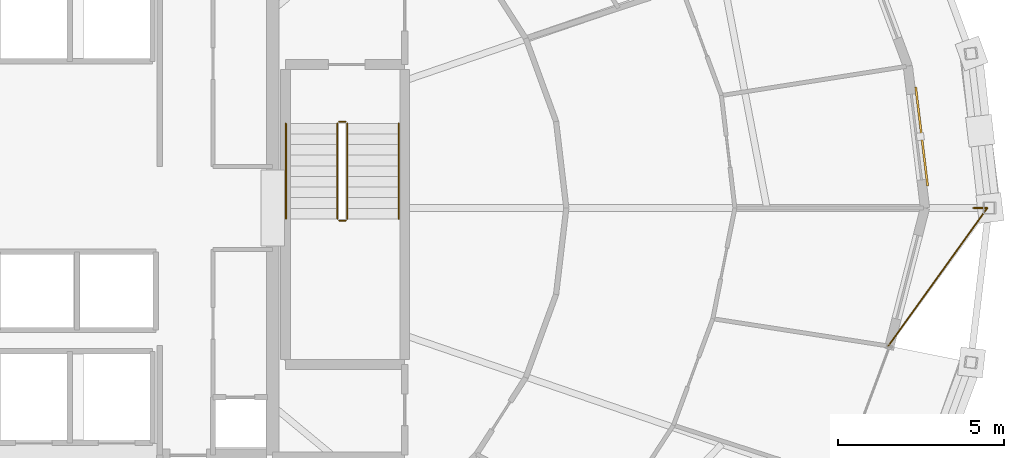
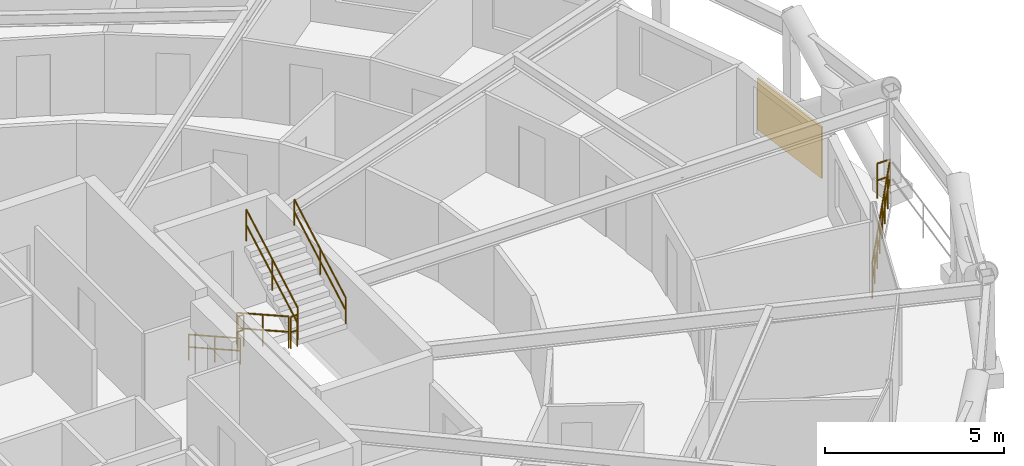
# One storey, part 23 of 23: 7 railings, 1 shading device.
"""IFC4 building model written with IfcOpenShell, lengths in metres."""

from ifc_helpers import new_model, si_unit, direction, frame, origin, origin_2d, place, context, subcontext, project, spatial, rectangle, circle, extrude, material, layer, layer_set, type_object, element, save


model = new_model("IFC4")

# Units and contexts
model_context = context("Model", 3, precision=1e-05, world=origin(), true_north=direction((0.0, 1.0)))
body_context = subcontext(model_context, "Body", "Model", "MODEL_VIEW")
ifc_project = project(units=[si_unit("LENGTHUNIT", "METRE"), si_unit("AREAUNIT", "SQUARE_METRE"), si_unit("VOLUMEUNIT", "CUBIC_METRE"), si_unit("PLANEANGLEUNIT", "RADIAN"), si_unit("MASSUNIT", "GRAM", prefix="KILO")], contexts=[model_context])

# Site, building, storey
site_placement = place(None, origin())
site = spatial("IfcSite", under=ifc_project, at=site_placement, CompositionType="ELEMENT")
building_placement = place(site_placement, origin())
building = spatial("IfcBuilding", under=site, at=building_placement, Name="Veldorina Hangang Commons", CompositionType="ELEMENT")
storey_placement = place(building_placement, frame((0.0, 0.0, 102.39990234375)))
storey = spatial("IfcBuildingStorey", under=building, at=storey_placement, Name="L26", CompositionType="ELEMENT", Elevation=102.39990234375)

# Railings
ifc_material_1 = material(Name="Glass Laminated Safety Balustrade", Category="glass")
railing_type_1 = type_object("IfcRailingType", Name="RL-BAL-LOGGIA", PredefinedType="BALUSTRADE", material=ifc_material_1)
railing_1_placement = place(storey_placement, frame((60.319580078125, 24.0, 0.0)))
element("IfcRailing", 1, at=railing_1_placement, inside=storey, type_object=railing_type_1, Name="L26 sky-garden loggia end balustrade B", PredefinedType="BALUSTRADE", context=body_context, shape_type="SweptSolid", body=[
    extrude(circle(Radius=0.02392578125, at=origin_2d()), frame((0.0, 0.0, 1.17578125), z_axis=(1.0, 0.0, 0.0), x_axis=(0.0, 1.0, 0.0)), (0.0, 0.0, 1.0), 0.419921875),
    extrude(circle(Radius=0.02392578125, at=origin_2d()), frame((0.0, 0.0, 0.60009765625), z_axis=(1.0, 0.0, 0.0), x_axis=(0.0, 1.0, 0.0)), (0.0, 0.0, 1.0), 0.419921875),
    extrude(circle(Radius=0.02392578125, at=origin_2d()), frame((0.419921875, 0.0, 1.17578125), z_axis=(-0.582996167057, -0.812474903734, 0.0), x_axis=(0.812474903734, -0.582996167057, 0.0)), (0.0, 0.0, 1.0), 5.119384765625),
    extrude(circle(Radius=0.02392578125, at=origin_2d()), frame((0.419921875, 0.0, 0.60009765625), z_axis=(-0.582996167057, -0.812474903734, 0.0), x_axis=(0.812474903734, -0.582996167057, 0.0)), (0.0, 0.0, 1.0), 5.119384765625),
    extrude(circle(Radius=0.02099609375, at=origin_2d()), origin(), (0.0, 0.0, 1.0), 1.15185546875),
    extrude(circle(Radius=0.02099609375, at=origin_2d()), frame((0.419921875, 0.0, 0.0)), (0.0, 0.0, 1.0), 1.15185546875),
    extrude(circle(Radius=0.02099609375, at=origin_2d()), frame((-0.00634765625, -0.59423828125, 0.0)), (0.0, 0.0, 1.0), 1.15185546875),
    extrude(circle(Radius=0.02099609375, at=origin_2d()), frame((-0.432861328125, -1.1884765625, 0.0)), (0.0, 0.0, 1.0), 1.15185546875),
    extrude(circle(Radius=0.02099609375, at=origin_2d()), frame((-0.859130859375, -1.78271484375, 0.0)), (0.0, 0.0, 1.0), 1.15185546875),
    extrude(circle(Radius=0.02099609375, at=origin_2d()), frame((-1.28564453125, -2.376708984375, 0.0)), (0.0, 0.0, 1.0), 1.15185546875),
    extrude(circle(Radius=0.02099609375, at=origin_2d()), frame((-1.7119140625, -2.970947265625, 0.0)), (0.0, 0.0, 1.0), 1.15185546875),
    extrude(circle(Radius=0.02099609375, at=origin_2d()), frame((-2.138427734375, -3.565185546875, 0.0)), (0.0, 0.0, 1.0), 1.15185546875),
    extrude(circle(Radius=0.02099609375, at=origin_2d()), frame((-2.564697265625, -4.159423828125, 0.0)), (0.0, 0.0, 1.0), 1.15185546875),
])
ifc_material_2 = material(Name="Steel Painted Balustrade", Category="steel")
railing_type_2 = type_object("IfcRailingType", Name="RL-GRD-STAIR", PredefinedType="GUARDRAIL", material=ifc_material_2)
railing_2_placement = place(storey_placement, frame((41.14990234375, 26.550048828125, 0.18017578125)))
element("IfcRailing", 2, at=railing_2_placement, inside=storey, type_object=railing_type_2, Name="L26 ST-2 stair guard 1", PredefinedType="GUARDRAIL", context=body_context, shape_type="SweptSolid", body=[
    extrude(circle(Radius=0.02392578125, at=origin_2d()), frame((0.0, 0.0, 1.076171875), z_axis=(0.0, -0.871601186807, 0.490215637405), x_axis=(1.0, 0.0, 0.0)), (0.0, 0.0, 1.0), 3.304443359375),
    extrude(circle(Radius=0.02392578125, at=origin_2d()), frame((0.0, 0.0, 0.550048828125), z_axis=(0.0, -0.871601186807, 0.490215637405), x_axis=(1.0, 0.0, 0.0)), (0.0, 0.0, 1.0), 3.304443359375),
    extrude(circle(Radius=0.02099609375, at=origin_2d()), origin(), (0.0, 0.0, 1.0), 1.052001953125),
    extrude(circle(Radius=0.02099609375, at=origin_2d()), frame((0.0, -1.43994140625, 0.81005859375)), (0.0, 0.0, 1.0), 1.052001953125),
    extrude(circle(Radius=0.02099609375, at=origin_2d()), frame((0.0, -2.880126953125, 1.619873046875)), (0.0, 0.0, 1.0), 1.052001953125),
])
railing_3_placement = place(storey_placement, frame((41.199951171875, 23.6201171875, 1.800048828125)))
element("IfcRailing", 3, at=railing_3_placement, inside=storey, type_object=railing_type_2, Name="L26 ST-2 stair guard 2", PredefinedType="GUARDRAIL", context=body_context, shape_type="SweptSolid", body=[
    extrude(circle(Radius=0.02392578125, at=origin_2d()), frame((0.0, 0.0, 1.076171875), z_axis=(1.0, 0.0, 0.0), x_axis=(0.0, 1.0, 0.0)), (0.0, 0.0, 1.0), 0.199951171875),
    extrude(circle(Radius=0.02392578125, at=origin_2d()), frame((0.0, 0.0, 0.550048828125), z_axis=(1.0, 0.0, 0.0), x_axis=(0.0, 1.0, 0.0)), (0.0, 0.0, 1.0), 0.199951171875),
    extrude(circle(Radius=0.02099609375, at=origin_2d()), origin(), (0.0, 0.0, 1.0), 1.052001953125),
    extrude(circle(Radius=0.02099609375, at=origin_2d()), frame((0.199951171875, 0.0, 0.0)), (0.0, 0.0, 1.0), 1.052001953125),
])
railing_4_placement = place(storey_placement, frame((41.449951171875, 23.669921875, 1.97998046875)))
element("IfcRailing", 4, at=railing_4_placement, inside=storey, type_object=railing_type_2, Name="L26 ST-2 stair guard 3", PredefinedType="GUARDRAIL", context=body_context, shape_type="SweptSolid", body=[
    extrude(circle(Radius=0.02392578125, at=origin_2d()), frame((0.0, 0.0, 1.076171875), z_axis=(0.0, 0.871569617843, 0.490271762652), x_axis=(-1.0, 0.0, 0.0)), (0.0, 0.0, 1.0), 3.304443359375),
    extrude(circle(Radius=0.02392578125, at=origin_2d()), frame((0.0, 0.0, 0.550048828125), z_axis=(0.0, 0.871569617843, 0.490271762652), x_axis=(-1.0, 0.0, 0.0)), (0.0, 0.0, 1.0), 3.304443359375),
    extrude(circle(Radius=0.02099609375, at=origin_2d()), origin(), (0.0, 0.0, 1.0), 1.052001953125),
    extrude(circle(Radius=0.02099609375, at=origin_2d()), frame((0.0, 1.43994140625, 0.81005859375)), (0.0, 0.0, 1.0), 1.052001953125),
    extrude(circle(Radius=0.02099609375, at=origin_2d()), frame((0.0, 2.880126953125, 1.6201171875)), (0.0, 0.0, 1.0), 1.052001953125),
])
railing_5_placement = place(storey_placement, frame((41.199951171875, 26.60009765625, 0.0)))
element("IfcRailing", 5, at=railing_5_placement, inside=storey, type_object=railing_type_2, Name="L26 ST-2 stair guard 4", PredefinedType="GUARDRAIL", context=body_context, shape_type="SweptSolid", body=[
    extrude(circle(Radius=0.02392578125, at=origin_2d()), frame((0.0, 0.0, 1.076171875), z_axis=(1.0, 0.0, 0.0), x_axis=(0.0, 1.0, 0.0)), (0.0, 0.0, 1.0), 0.199951171875),
    extrude(circle(Radius=0.02392578125, at=origin_2d()), frame((0.0, 0.0, 0.550048828125), z_axis=(1.0, 0.0, 0.0), x_axis=(0.0, 1.0, 0.0)), (0.0, 0.0, 1.0), 0.199951171875),
    extrude(circle(Radius=0.02099609375, at=origin_2d()), origin(), (0.0, 0.0, 1.0), 1.052001953125),
    extrude(circle(Radius=0.02099609375, at=origin_2d()), frame((0.199951171875, 0.0, 0.0)), (0.0, 0.0, 1.0), 1.052001953125),
])
ifc_material_3 = material(Name="Stainless Steel Brushed 316", Category="steel")
railing_type_3 = type_object("IfcRailingType", Name="RL-HND-STAIR", PredefinedType="HANDRAIL", material=ifc_material_3)
railing_6_placement = place(storey_placement, frame((39.60009765625, 26.550048828125, 0.18017578125)))
element("IfcRailing", 6, at=railing_6_placement, inside=storey, type_object=railing_type_3, Name="L26 ST-2 stair handrail 1", PredefinedType="HANDRAIL", context=body_context, shape_type="SweptSolid", body=[
    extrude(circle(Radius=0.02392578125, at=origin_2d()), frame((0.0, 0.0, 0.8759765625), z_axis=(0.0, -0.871601186807, 0.490215637405), x_axis=(1.0, 0.0, 0.0)), (0.0, 0.0, 1.0), 3.304443359375),
    extrude(circle(Radius=0.02392578125, at=origin_2d()), frame((0.0, 0.0, 0.449951171875), z_axis=(0.0, -0.871601186807, 0.490215637405), x_axis=(1.0, 0.0, 0.0)), (0.0, 0.0, 1.0), 3.304443359375),
    extrude(circle(Radius=0.02099609375, at=origin_2d()), origin(), (0.0, 0.0, 1.0), 0.851806640625),
    extrude(circle(Radius=0.02099609375, at=origin_2d()), frame((0.0, -1.43994140625, 0.81005859375)), (0.0, 0.0, 1.0), 0.851806640625),
    extrude(circle(Radius=0.02099609375, at=origin_2d()), frame((0.0, -2.880126953125, 1.619873046875)), (0.0, 0.0, 1.0), 0.851806640625),
])
railing_7_placement = place(storey_placement, frame((43.0, 23.669921875, 1.97998046875)))
element("IfcRailing", 7, at=railing_7_placement, inside=storey, type_object=railing_type_3, Name="L26 ST-2 stair handrail 2", PredefinedType="HANDRAIL", context=body_context, shape_type="SweptSolid", body=[
    extrude(circle(Radius=0.02392578125, at=origin_2d()), frame((0.0, 0.0, 0.8759765625), z_axis=(0.0, 0.871569617843, 0.490271762652), x_axis=(-1.0, 0.0, 0.0)), (0.0, 0.0, 1.0), 3.304443359375),
    extrude(circle(Radius=0.02392578125, at=origin_2d()), frame((0.0, 0.0, 0.449951171875), z_axis=(0.0, 0.871569617843, 0.490271762652), x_axis=(-1.0, 0.0, 0.0)), (0.0, 0.0, 1.0), 3.304443359375),
    extrude(circle(Radius=0.02099609375, at=origin_2d()), origin(), (0.0, 0.0, 1.0), 0.851806640625),
    extrude(circle(Radius=0.02099609375, at=origin_2d()), frame((0.0, 1.43994140625, 0.81005859375)), (0.0, 0.0, 1.0), 0.851806640625),
    extrude(circle(Radius=0.02099609375, at=origin_2d()), frame((0.0, 2.880126953125, 1.6201171875)), (0.0, 0.0, 1.0), 0.851806640625),
])

# Shading device
ifc_material_4 = material(Name="Ceramic Glazed Terracotta", Category="masonry")
ifc_layer = layer(ifc_material_4, 0.06005859375)
ifc_layer_set = layer_set([ifc_layer], Name="Ceramic Glazed Terracotta")
shading_device_type = type_object("IfcShadingDeviceType", Name="SCR-CER-3000", PredefinedType="USERDEFINED", material=ifc_layer_set)
shading_device_placement = place(storey_placement, frame((58.760498046875, 26.15673828125, 0.75), z_axis=(0.0, 0.0, 1.0), x_axis=(-0.119842276518, 0.992792943548, 0.0)))
element("IfcShadingDevice", 8, at=shading_device_placement, inside=storey, type_object=shading_device_type, Name="L26 PERFORATED CERAMIC SOLAR SCREEN 00", ObjectType="SCREEN", PredefinedType="USERDEFINED", context=body_context, shape_type="SweptSolid", body=[
    extrude(rectangle(XDim=3.0, YDim=0.06005859375, at=origin_2d()), origin(), (0.0, 0.0, 1.0), 1.75),
])

save(model, "model.ifc")
